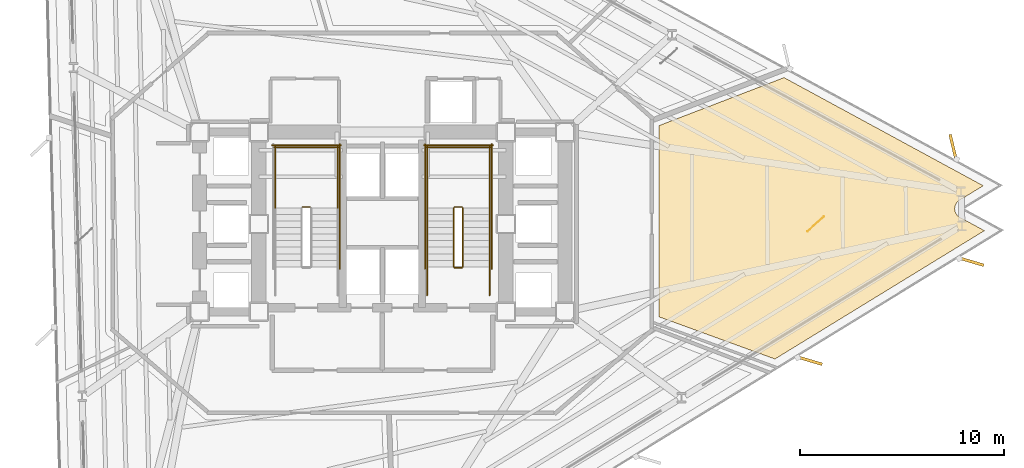
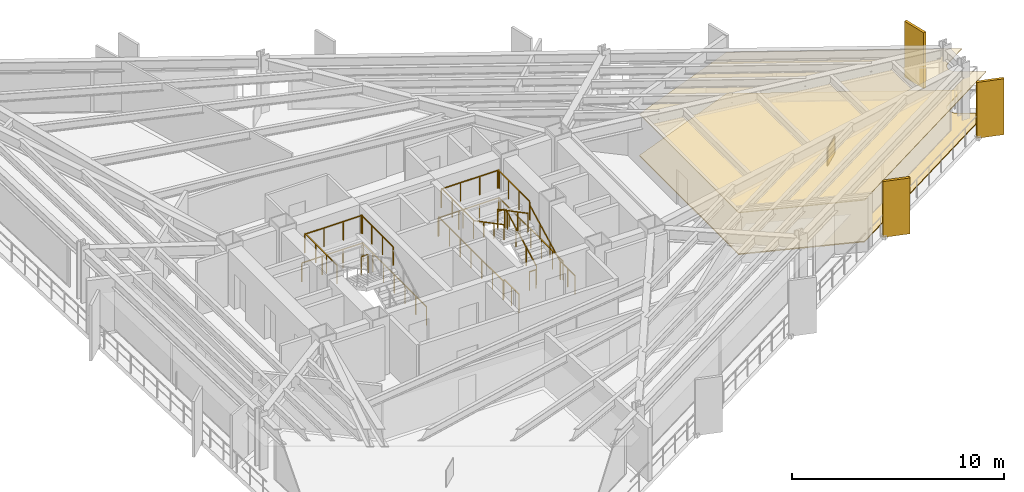
# One storey, part 13 of 14: 20 railings, 3 coverings, 3 shading devices.
"""IFC4 building model written with IfcOpenShell, lengths in metres."""

from ifc_helpers import new_model, si_unit, direction, frame, origin, origin_2d, place, context, subcontext, project, spatial, polyline, rectangle, outline, extrude, material, layer, layer_set, type_object, element, save


model = new_model("IFC4")

# Units and contexts
model_context = context("Model", 3, precision=1e-05, world=origin(), true_north=direction((0.0, 1.0)))
body_context = subcontext(model_context, "Body", "Model", "MODEL_VIEW")
ifc_project = project(units=[si_unit("LENGTHUNIT", "METRE"), si_unit("AREAUNIT", "SQUARE_METRE"), si_unit("VOLUMEUNIT", "CUBIC_METRE"), si_unit("PLANEANGLEUNIT", "RADIAN"), si_unit("MASSUNIT", "GRAM", prefix="KILO")], contexts=[model_context])

# Site, building, storey
site_placement = place(None, origin())
site = spatial("IfcSite", under=ifc_project, at=site_placement, CompositionType="ELEMENT")
building_placement = place(site_placement, origin())
building = spatial("IfcBuilding", under=site, at=building_placement, Name="Rocaltana Carrier Exchange", CompositionType="ELEMENT")
storey_placement = place(building_placement, frame((0.0, 0.0, 22.239990234375)))
storey = spatial("IfcBuildingStorey", under=building, at=storey_placement, Name="L07", CompositionType="ELEMENT", Elevation=22.239990234375)

# Coverings
ifc_material_1 = material(Name="Calcium Sulphate & Aluminium Pedestal", Category="aluminium")
ifc_layer_1 = layer(ifc_material_1, 0.06005859375)
ifc_layer_set_1 = layer_set([ifc_layer_1], Name="Calcium Sulphate & Aluminium Pedestal")
covering_type_1 = type_object("IfcCoveringType", Name="Anti-Static Raised Exchange Access Floor 60", PredefinedType="FLOORING", material=ifc_layer_set_1)
covering_1_placement = place(storey_placement, origin())
element("IfcCovering", 1, at=covering_1_placement, inside=storey, type_object=covering_type_1, Name="L07 Optical Switching Laboratory Finish Floor", PredefinedType="FLOORING", context=body_context, shape_type="SweptSolid", body=[
    extrude(outline(polyline([(29.427490234375, 1.87109375), (28.260498046875, 1.156005859375), (28.248779296875, 1.148193359375), (28.232421875, 1.136962890625), (28.210205078125, 1.1201171875), (28.19482421875, 1.107421875), (28.17431640625, 1.08837890625), (28.160400390625, 1.073974609375), (28.14208984375, 1.052978515625), (28.129638671875, 1.03759765625), (28.11328125, 1.014892578125), (28.1025390625, 0.998046875), (28.088623046875, 0.973876953125), (28.07958984375, 0.9560546875), (28.068115234375, 0.9306640625), (28.060791015625, 0.912109375), (28.052001953125, 0.885498046875), (28.046630859375, 0.866455078125), (28.04052734375, 0.839111328125), (28.037109375, 0.819580078125), (28.03369140625, 0.791748046875), (28.031982421875, 0.77197265625), (28.031494140625, 0.743896484375), (28.031982421875, 0.72412109375), (28.0341796875, 0.6962890625), (28.03662109375, 0.676513671875), (28.04150390625, 0.64892578125), (28.0458984375, 0.629638671875), (28.053466796875, 0.602783203125), (28.059814453125, 0.583740234375), (28.070068359375, 0.557861328125), (28.078369140625, 0.539794921875), (28.091064453125, 0.514892578125), (28.10107421875, 0.49755859375), (28.1162109375, 0.47412109375), (28.1279296875, 0.4580078125), (28.1455078125, 0.436279296875), (28.15869140625, 0.421142578125), (28.177978515625, 0.4013671875), (28.192626953125, 0.3876953125), (28.214111328125, 0.369873046875), (28.22998046875, 0.35791015625), (28.253173828125, 0.342041015625), (28.270263671875, 0.331787109375), (28.2822265625, 0.32470703125), (29.485107421875, -0.328369140625), (19.2265625, -6.61474609375), (13.56005859375, -4.55224609375), (13.56005859375, 4.819580078125), (19.674072265625, 7.16650390625), (29.427490234375, 1.87109375)])), origin(), (0.0, 0.0, 1.0), 0.06005859375),
])
ifc_material_2 = material(Name="Mineral Fibre & Powder-Coated Aluminium", Category="aluminium")
ifc_layer_2 = layer(ifc_material_2, 0.044921875)
ifc_layer_set_2 = layer_set([ifc_layer_2], Name="Mineral Fibre & Powder-Coated Aluminium")
covering_type_2 = type_object("IfcCoveringType", Name="Micro-Perforated Acoustic Ceiling 45", PredefinedType="CEILING", material=ifc_layer_set_2)
covering_2_placement = place(storey_placement, frame((0.0, 0.0, 2.403076171875)))
element("IfcCovering", 2, at=covering_2_placement, inside=storey, type_object=covering_type_2, Name="L07 Optical Switching Laboratory Acoustic Ceiling", PredefinedType="CEILING", context=body_context, shape_type="SweptSolid", body=[
    extrude(outline(polyline([(29.427490234375, 1.87109375), (28.260498046875, 1.156005859375), (28.248779296875, 1.148193359375), (28.232421875, 1.136962890625), (28.210205078125, 1.1201171875), (28.19482421875, 1.107421875), (28.17431640625, 1.08837890625), (28.160400390625, 1.073974609375), (28.14208984375, 1.052978515625), (28.129638671875, 1.03759765625), (28.11328125, 1.014892578125), (28.1025390625, 0.998046875), (28.088623046875, 0.973876953125), (28.07958984375, 0.9560546875), (28.068115234375, 0.9306640625), (28.060791015625, 0.912109375), (28.052001953125, 0.885498046875), (28.046630859375, 0.866455078125), (28.04052734375, 0.839111328125), (28.037109375, 0.819580078125), (28.03369140625, 0.791748046875), (28.031982421875, 0.77197265625), (28.031494140625, 0.743896484375), (28.031982421875, 0.72412109375), (28.0341796875, 0.6962890625), (28.03662109375, 0.676513671875), (28.04150390625, 0.64892578125), (28.0458984375, 0.629638671875), (28.053466796875, 0.602783203125), (28.059814453125, 0.583740234375), (28.070068359375, 0.557861328125), (28.078369140625, 0.539794921875), (28.091064453125, 0.514892578125), (28.10107421875, 0.49755859375), (28.1162109375, 0.47412109375), (28.1279296875, 0.4580078125), (28.1455078125, 0.436279296875), (28.15869140625, 0.421142578125), (28.177978515625, 0.4013671875), (28.192626953125, 0.3876953125), (28.214111328125, 0.369873046875), (28.22998046875, 0.35791015625), (28.253173828125, 0.342041015625), (28.270263671875, 0.331787109375), (28.2822265625, 0.32470703125), (29.485107421875, -0.328369140625), (19.2265625, -6.61474609375), (13.56005859375, -4.55224609375), (13.56005859375, 4.819580078125), (19.674072265625, 7.16650390625), (29.427490234375, 1.87109375)])), origin(), (0.0, 0.0, 1.0), 0.044921875),
])

# Railings
ifc_material_3 = material(Name="Brushed Architectural Stainless Tube", Category="steel")
ifc_layer_3 = layer(ifc_material_3, 0.048095703125)
ifc_layer_set_3 = layer_set([ifc_layer_3], Name="Brushed Architectural Stainless Tube")
railing_type_1 = type_object("IfcRailingType", Name="Stair Wall Handrail 920", PredefinedType="HANDRAIL", material=ifc_layer_set_3)
railing_1_placement = place(storey_placement, frame((5.25, -2.10009765625, 0.16796875)))
element("IfcRailing", 3, at=railing_1_placement, inside=storey, type_object=railing_type_1, Name="L07 ST-2 stair handrail 1", PredefinedType="HANDRAIL", context=body_context, shape_type="SweptSolid", body=[
    extrude(rectangle(XDim=0.048095703125, YDim=0.048095703125, at=origin_2d()), frame((0.0, 0.0, 0.8759765625), z_axis=(0.0, 0.885411030485, 0.464808893091), x_axis=(-1.0, 0.0, 0.0)), (0.0, 0.0, 1.0), 3.2529296875),
    extrude(rectangle(XDim=0.0419921875, YDim=0.0419921875, at=origin_2d()), origin(), (0.0, 0.0, 1.0), 0.851806640625),
    extrude(rectangle(XDim=0.0419921875, YDim=0.0419921875, at=origin_2d()), frame((0.0, 0.9599609375, 0.50390625)), (0.0, 0.0, 1.0), 0.851806640625),
    extrude(rectangle(XDim=0.0419921875, YDim=0.0419921875, at=origin_2d()), frame((0.0, 1.920166015625, 1.008056640625)), (0.0, 0.0, 1.0), 0.851806640625),
    extrude(rectangle(XDim=0.0419921875, YDim=0.0419921875, at=origin_2d()), frame((0.0, 2.880126953125, 1.511962890625)), (0.0, 0.0, 1.0), 0.851806640625),
])
railing_2_placement = place(storey_placement, frame((2.18994140625, 0.780029296875, 1.847900390625)))
element("IfcRailing", 4, at=railing_2_placement, inside=storey, type_object=railing_type_1, Name="L07 ST-2 stair handrail 2", PredefinedType="HANDRAIL", context=body_context, shape_type="SweptSolid", body=[
    extrude(rectangle(XDim=0.048095703125, YDim=0.048095703125, at=origin_2d()), frame((0.0, 0.0, 0.8759765625), z_axis=(0.0, -0.8853801414, 0.46486772873), x_axis=(1.0, 0.0, 0.0)), (0.0, 0.0, 1.0), 3.2529296875),
    extrude(rectangle(XDim=0.0419921875, YDim=0.0419921875, at=origin_2d()), origin(), (0.0, 0.0, 1.0), 0.851806640625),
    extrude(rectangle(XDim=0.0419921875, YDim=0.0419921875, at=origin_2d()), frame((0.0, -0.9599609375, 0.504150390625)), (0.0, 0.0, 1.0), 0.851806640625),
    extrude(rectangle(XDim=0.0419921875, YDim=0.0419921875, at=origin_2d()), frame((0.0, -1.920166015625, 1.008056640625)), (0.0, 0.0, 1.0), 0.851806640625),
    extrude(rectangle(XDim=0.0419921875, YDim=0.0419921875, at=origin_2d()), frame((0.0, -2.880126953125, 1.51220703125)), (0.0, 0.0, 1.0), 0.851806640625),
])
ifc_material_4 = material(Name="Powder-Coated Aluminium 6063-T6", Category="aluminium")
ifc_layer_4 = layer(ifc_material_4, 0.048095703125)
ifc_layer_set_4 = layer_set([ifc_layer_4], Name="Powder-Coated Aluminium 6063-T6")
railing_type_2 = type_object("IfcRailingType", Name="Stair Well Guardrail 1100", PredefinedType="GUARDRAIL", material=ifc_layer_set_4)
railing_3_placement = place(storey_placement, frame((-3.5400390625, 0.830078125, 1.679931640625)))
element("IfcRailing", 5, at=railing_3_placement, inside=storey, type_object=railing_type_2, Name="L07 ST-1 stair guard 2", PredefinedType="GUARDRAIL", context=body_context, shape_type="SweptSolid", body=[
    extrude(rectangle(XDim=0.048095703125, YDim=0.048095703125, at=origin_2d()), frame((0.0, 0.0, 1.076171875), z_axis=(-1.0, 0.0, 0.0), x_axis=(0.0, -1.0, 0.0)), (0.0, 0.0, 1.0), 0.35986328125),
    extrude(rectangle(XDim=0.0419921875, YDim=0.0419921875, at=origin_2d()), origin(), (0.0, 0.0, 1.0), 1.052001953125),
    extrude(rectangle(XDim=0.0419921875, YDim=0.0419921875, at=origin_2d()), frame((-0.35986328125, 0.0, 0.0)), (0.0, 0.0, 1.0), 1.052001953125),
])
for number, where, name in (
    (6, (-2.18994140625, 0.780029296875, 1.679931640625), "L07 ST-1 stair guard 3"),
    (7, (-5.25, 0.780029296875, 1.679931640625), "L07 ST-1 stair guard 4"),
):
    element("IfcRailing", number, at=place(storey_placement, frame(where)), inside=storey, type_object=railing_type_2, Name=name, PredefinedType="GUARDRAIL", context=body_context, shape_type="SweptSolid", body=[
        extrude(rectangle(XDim=0.048095703125, YDim=0.048095703125, at=origin_2d()), frame((0.0, 0.0, 1.076171875), z_axis=(0.0, 1.0, 0.0), x_axis=(-1.0, 0.0, 0.0)), (0.0, 0.0, 1.0), 3.02001953125),
        extrude(rectangle(XDim=0.0419921875, YDim=0.0419921875, at=origin_2d()), origin(), (0.0, 0.0, 1.0), 1.052001953125),
        extrude(rectangle(XDim=0.0419921875, YDim=0.0419921875, at=origin_2d()), frame((0.0, 1.006591796875, 0.0)), (0.0, 0.0, 1.0), 1.052001953125),
        extrude(rectangle(XDim=0.0419921875, YDim=0.0419921875, at=origin_2d()), frame((0.0, 2.013427734375, 0.0)), (0.0, 0.0, 1.0), 1.052001953125),
        extrude(rectangle(XDim=0.0419921875, YDim=0.0419921875, at=origin_2d()), frame((0.0, 3.02001953125, 0.0)), (0.0, 0.0, 1.0), 1.052001953125),
    ])
railing_4_placement = place(storey_placement, frame((-2.139892578125, 3.75, 1.679931640625)))
element("IfcRailing", 8, at=railing_4_placement, inside=storey, type_object=railing_type_2, Name="L07 ST-1 stair guard 5", PredefinedType="GUARDRAIL", context=body_context, shape_type="SweptSolid", body=[
    extrude(rectangle(XDim=0.048095703125, YDim=0.048095703125, at=origin_2d()), frame((0.0, 0.0, 1.076171875), z_axis=(-1.0, 0.0, 0.0), x_axis=(0.0, -1.0, 0.0)), (0.0, 0.0, 1.0), 3.16015625),
    extrude(rectangle(XDim=0.0419921875, YDim=0.0419921875, at=origin_2d()), origin(), (0.0, 0.0, 1.0), 1.052001953125),
    extrude(rectangle(XDim=0.0419921875, YDim=0.0419921875, at=origin_2d()), frame((-1.053466796875, 0.0, 0.0)), (0.0, 0.0, 1.0), 1.052001953125),
    extrude(rectangle(XDim=0.0419921875, YDim=0.0419921875, at=origin_2d()), frame((-2.106689453125, 0.0, 0.0)), (0.0, 0.0, 1.0), 1.052001953125),
    extrude(rectangle(XDim=0.0419921875, YDim=0.0419921875, at=origin_2d()), frame((-3.16015625, 0.0, 0.0)), (0.0, 0.0, 1.0), 1.052001953125),
])
railing_5_placement = place(storey_placement, frame((-2.090087890625, -2.199951171875, 0.0)))
element("IfcRailing", 9, at=railing_5_placement, inside=storey, type_object=railing_type_2, Name="L07 ST-1 stair guard 10", PredefinedType="GUARDRAIL", context=body_context, shape_type="SweptSolid", body=[
    extrude(rectangle(XDim=0.048095703125, YDim=0.048095703125, at=origin_2d()), frame((0.0, 0.0, 1.076171875), z_axis=(0.0, 1.0, 0.0), x_axis=(-1.0, 0.0, 0.0)), (0.0, 0.0, 1.0), 6.099853515625),
    extrude(rectangle(XDim=0.0419921875, YDim=0.0419921875, at=origin_2d()), origin(), (0.0, 0.0, 1.0), 1.052001953125),
    extrude(rectangle(XDim=0.0419921875, YDim=0.0419921875, at=origin_2d()), frame((0.0, 1.0166015625, 0.0)), (0.0, 0.0, 1.0), 1.052001953125),
    extrude(rectangle(XDim=0.0419921875, YDim=0.0419921875, at=origin_2d()), frame((0.0, 2.033203125, 0.0)), (0.0, 0.0, 1.0), 1.052001953125),
    extrude(rectangle(XDim=0.0419921875, YDim=0.0419921875, at=origin_2d()), frame((0.0, 3.0498046875, 0.0)), (0.0, 0.0, 1.0), 1.052001953125),
    extrude(rectangle(XDim=0.0419921875, YDim=0.0419921875, at=origin_2d()), frame((0.0, 4.066650390625, 0.0)), (0.0, 0.0, 1.0), 1.052001953125),
    extrude(rectangle(XDim=0.0419921875, YDim=0.0419921875, at=origin_2d()), frame((0.0, 5.083251953125, 0.0)), (0.0, 0.0, 1.0), 1.052001953125),
    extrude(rectangle(XDim=0.0419921875, YDim=0.0419921875, at=origin_2d()), frame((0.0, 6.099853515625, 0.0)), (0.0, 0.0, 1.0), 1.052001953125),
])
railing_6_placement = place(storey_placement, frame((-2.0400390625, 3.85009765625, 0.0)))
element("IfcRailing", 10, at=railing_6_placement, inside=storey, type_object=railing_type_2, Name="L07 ST-1 stair guard 12", PredefinedType="GUARDRAIL", context=body_context, shape_type="SweptSolid", body=[
    extrude(rectangle(XDim=0.048095703125, YDim=0.048095703125, at=origin_2d()), frame((0.0, 0.0, 1.076171875), z_axis=(-1.0, 0.0, 0.0), x_axis=(0.0, -1.0, 0.0)), (0.0, 0.0, 1.0), 3.35986328125),
    extrude(rectangle(XDim=0.0419921875, YDim=0.0419921875, at=origin_2d()), origin(), (0.0, 0.0, 1.0), 1.052001953125),
    extrude(rectangle(XDim=0.0419921875, YDim=0.0419921875, at=origin_2d()), frame((-1.119873046875, 0.0, 0.0)), (0.0, 0.0, 1.0), 1.052001953125),
    extrude(rectangle(XDim=0.0419921875, YDim=0.0419921875, at=origin_2d()), frame((-2.239990234375, 0.0, 0.0)), (0.0, 0.0, 1.0), 1.052001953125),
    extrude(rectangle(XDim=0.0419921875, YDim=0.0419921875, at=origin_2d()), frame((-3.35986328125, 0.0, 0.0)), (0.0, 0.0, 1.0), 1.052001953125),
])
railing_7_placement = place(storey_placement, frame((3.949951171875, -2.10009765625, 0.16796875)))
element("IfcRailing", 11, at=railing_7_placement, inside=storey, type_object=railing_type_2, Name="L07 ST-2 stair guard 1", PredefinedType="GUARDRAIL", context=body_context, shape_type="SweptSolid", body=[
    extrude(rectangle(XDim=0.048095703125, YDim=0.048095703125, at=origin_2d()), frame((0.0, 0.0, 1.076171875), z_axis=(0.0, 0.885411030485, 0.464808893091), x_axis=(-1.0, 0.0, 0.0)), (0.0, 0.0, 1.0), 3.2529296875),
    extrude(rectangle(XDim=0.0419921875, YDim=0.0419921875, at=origin_2d()), origin(), (0.0, 0.0, 1.0), 1.052001953125),
    extrude(rectangle(XDim=0.0419921875, YDim=0.0419921875, at=origin_2d()), frame((0.0, 0.9599609375, 0.50390625)), (0.0, 0.0, 1.0), 1.052001953125),
    extrude(rectangle(XDim=0.0419921875, YDim=0.0419921875, at=origin_2d()), frame((0.0, 1.920166015625, 1.008056640625)), (0.0, 0.0, 1.0), 1.052001953125),
    extrude(rectangle(XDim=0.0419921875, YDim=0.0419921875, at=origin_2d()), frame((0.0, 2.880126953125, 1.511962890625)), (0.0, 0.0, 1.0), 1.052001953125),
])
railing_8_placement = place(storey_placement, frame((3.89990234375, 0.830078125, 1.679931640625)))
element("IfcRailing", 12, at=railing_8_placement, inside=storey, type_object=railing_type_2, Name="L07 ST-2 stair guard 2", PredefinedType="GUARDRAIL", context=body_context, shape_type="SweptSolid", body=[
    extrude(rectangle(XDim=0.048095703125, YDim=0.048095703125, at=origin_2d()), frame((0.0, 0.0, 1.076171875), z_axis=(-1.0, 0.0, 0.0), x_axis=(0.0, -1.0, 0.0)), (0.0, 0.0, 1.0), 0.35986328125),
    extrude(rectangle(XDim=0.0419921875, YDim=0.0419921875, at=origin_2d()), origin(), (0.0, 0.0, 1.0), 1.052001953125),
    extrude(rectangle(XDim=0.0419921875, YDim=0.0419921875, at=origin_2d()), frame((-0.35986328125, 0.0, 0.0)), (0.0, 0.0, 1.0), 1.052001953125),
])
for number, where, name in (
    (13, (5.25, 0.780029296875, 1.679931640625), "L07 ST-2 stair guard 3"),
    (14, (2.18994140625, 0.780029296875, 1.679931640625), "L07 ST-2 stair guard 4"),
):
    element("IfcRailing", number, at=place(storey_placement, frame(where)), inside=storey, type_object=railing_type_2, Name=name, PredefinedType="GUARDRAIL", context=body_context, shape_type="SweptSolid", body=[
        extrude(rectangle(XDim=0.048095703125, YDim=0.048095703125, at=origin_2d()), frame((0.0, 0.0, 1.076171875), z_axis=(0.0, 1.0, 0.0), x_axis=(-1.0, 0.0, 0.0)), (0.0, 0.0, 1.0), 3.02001953125),
        extrude(rectangle(XDim=0.0419921875, YDim=0.0419921875, at=origin_2d()), origin(), (0.0, 0.0, 1.0), 1.052001953125),
        extrude(rectangle(XDim=0.0419921875, YDim=0.0419921875, at=origin_2d()), frame((0.0, 1.006591796875, 0.0)), (0.0, 0.0, 1.0), 1.052001953125),
        extrude(rectangle(XDim=0.0419921875, YDim=0.0419921875, at=origin_2d()), frame((0.0, 2.013427734375, 0.0)), (0.0, 0.0, 1.0), 1.052001953125),
        extrude(rectangle(XDim=0.0419921875, YDim=0.0419921875, at=origin_2d()), frame((0.0, 3.02001953125, 0.0)), (0.0, 0.0, 1.0), 1.052001953125),
    ])
railing_9_placement = place(storey_placement, frame((5.300048828125, 3.75, 1.679931640625)))
element("IfcRailing", 15, at=railing_9_placement, inside=storey, type_object=railing_type_2, Name="L07 ST-2 stair guard 5", PredefinedType="GUARDRAIL", context=body_context, shape_type="SweptSolid", body=[
    extrude(rectangle(XDim=0.048095703125, YDim=0.048095703125, at=origin_2d()), frame((0.0, 0.0, 1.076171875), z_axis=(-1.0, 0.0, 0.0), x_axis=(0.0, -1.0, 0.0)), (0.0, 0.0, 1.0), 3.16015625),
    extrude(rectangle(XDim=0.0419921875, YDim=0.0419921875, at=origin_2d()), origin(), (0.0, 0.0, 1.0), 1.052001953125),
    extrude(rectangle(XDim=0.0419921875, YDim=0.0419921875, at=origin_2d()), frame((-1.053466796875, 0.0, 0.0)), (0.0, 0.0, 1.0), 1.052001953125),
    extrude(rectangle(XDim=0.0419921875, YDim=0.0419921875, at=origin_2d()), frame((-2.106689453125, 0.0, 0.0)), (0.0, 0.0, 1.0), 1.052001953125),
    extrude(rectangle(XDim=0.0419921875, YDim=0.0419921875, at=origin_2d()), frame((-3.16015625, 0.0, 0.0)), (0.0, 0.0, 1.0), 1.052001953125),
])
railing_10_placement = place(storey_placement, frame((3.489990234375, 0.780029296875, 1.847900390625)))
element("IfcRailing", 16, at=railing_10_placement, inside=storey, type_object=railing_type_2, Name="L07 ST-2 stair guard 6", PredefinedType="GUARDRAIL", context=body_context, shape_type="SweptSolid", body=[
    extrude(rectangle(XDim=0.048095703125, YDim=0.048095703125, at=origin_2d()), frame((0.0, 0.0, 1.076171875), z_axis=(0.0, -0.8853801414, 0.46486772873), x_axis=(1.0, 0.0, 0.0)), (0.0, 0.0, 1.0), 3.2529296875),
    extrude(rectangle(XDim=0.0419921875, YDim=0.0419921875, at=origin_2d()), origin(), (0.0, 0.0, 1.0), 1.052001953125),
    extrude(rectangle(XDim=0.0419921875, YDim=0.0419921875, at=origin_2d()), frame((0.0, -0.9599609375, 0.504150390625)), (0.0, 0.0, 1.0), 1.052001953125),
    extrude(rectangle(XDim=0.0419921875, YDim=0.0419921875, at=origin_2d()), frame((0.0, -1.920166015625, 1.008056640625)), (0.0, 0.0, 1.0), 1.052001953125),
    extrude(rectangle(XDim=0.0419921875, YDim=0.0419921875, at=origin_2d()), frame((0.0, -2.880126953125, 1.51220703125)), (0.0, 0.0, 1.0), 1.052001953125),
])
railing_11_placement = place(storey_placement, frame((3.89990234375, -2.14990234375, 0.0)))
element("IfcRailing", 17, at=railing_11_placement, inside=storey, type_object=railing_type_2, Name="L07 ST-2 stair guard 7", PredefinedType="GUARDRAIL", context=body_context, shape_type="SweptSolid", body=[
    extrude(rectangle(XDim=0.048095703125, YDim=0.048095703125, at=origin_2d()), frame((0.0, 0.0, 1.076171875), z_axis=(-1.0, 0.0, 0.0), x_axis=(0.0, -1.0, 0.0)), (0.0, 0.0, 1.0), 0.35986328125),
    extrude(rectangle(XDim=0.0419921875, YDim=0.0419921875, at=origin_2d()), origin(), (0.0, 0.0, 1.0), 1.052001953125),
    extrude(rectangle(XDim=0.0419921875, YDim=0.0419921875, at=origin_2d()), frame((-0.35986328125, 0.0, 0.0)), (0.0, 0.0, 1.0), 1.052001953125),
])
for number, where, name in (
    (18, (5.25, -3.5, 0.0), "L07 ST-2 stair guard 8"),
    (19, (2.18994140625, -3.5, 0.0), "L07 ST-2 stair guard 9"),
):
    element("IfcRailing", number, at=place(storey_placement, frame(where)), inside=storey, type_object=railing_type_2, Name=name, PredefinedType="GUARDRAIL", context=body_context, shape_type="SweptSolid", body=[
        extrude(rectangle(XDim=0.048095703125, YDim=0.048095703125, at=origin_2d()), frame((0.0, 0.0, 1.076171875), z_axis=(0.0, 1.0, 0.0), x_axis=(-1.0, 0.0, 0.0)), (0.0, 0.0, 1.0), 1.39990234375),
        extrude(rectangle(XDim=0.0419921875, YDim=0.0419921875, at=origin_2d()), origin(), (0.0, 0.0, 1.0), 1.052001953125),
        extrude(rectangle(XDim=0.0419921875, YDim=0.0419921875, at=origin_2d()), frame((0.0, 0.699951171875, 0.0)), (0.0, 0.0, 1.0), 1.052001953125),
        extrude(rectangle(XDim=0.0419921875, YDim=0.0419921875, at=origin_2d()), frame((0.0, 1.39990234375, 0.0)), (0.0, 0.0, 1.0), 1.052001953125),
    ])
for number, where, name in (
    (20, (5.35009765625, -2.199951171875, 0.0), "L07 ST-2 stair guard 10"),
    (21, (2.090087890625, -2.199951171875, 0.0), "L07 ST-2 stair guard 11"),
):
    element("IfcRailing", number, at=place(storey_placement, frame(where)), inside=storey, type_object=railing_type_2, Name=name, PredefinedType="GUARDRAIL", context=body_context, shape_type="SweptSolid", body=[
        extrude(rectangle(XDim=0.048095703125, YDim=0.048095703125, at=origin_2d()), frame((0.0, 0.0, 1.076171875), z_axis=(0.0, 1.0, 0.0), x_axis=(-1.0, 0.0, 0.0)), (0.0, 0.0, 1.0), 6.099853515625),
        extrude(rectangle(XDim=0.0419921875, YDim=0.0419921875, at=origin_2d()), origin(), (0.0, 0.0, 1.0), 1.052001953125),
        extrude(rectangle(XDim=0.0419921875, YDim=0.0419921875, at=origin_2d()), frame((0.0, 1.0166015625, 0.0)), (0.0, 0.0, 1.0), 1.052001953125),
        extrude(rectangle(XDim=0.0419921875, YDim=0.0419921875, at=origin_2d()), frame((0.0, 2.033203125, 0.0)), (0.0, 0.0, 1.0), 1.052001953125),
        extrude(rectangle(XDim=0.0419921875, YDim=0.0419921875, at=origin_2d()), frame((0.0, 3.0498046875, 0.0)), (0.0, 0.0, 1.0), 1.052001953125),
        extrude(rectangle(XDim=0.0419921875, YDim=0.0419921875, at=origin_2d()), frame((0.0, 4.066650390625, 0.0)), (0.0, 0.0, 1.0), 1.052001953125),
        extrude(rectangle(XDim=0.0419921875, YDim=0.0419921875, at=origin_2d()), frame((0.0, 5.083251953125, 0.0)), (0.0, 0.0, 1.0), 1.052001953125),
        extrude(rectangle(XDim=0.0419921875, YDim=0.0419921875, at=origin_2d()), frame((0.0, 6.099853515625, 0.0)), (0.0, 0.0, 1.0), 1.052001953125),
    ])
railing_12_placement = place(storey_placement, frame((5.39990234375, 3.85009765625, 0.0)))
element("IfcRailing", 22, at=railing_12_placement, inside=storey, type_object=railing_type_2, Name="L07 ST-2 stair guard 12", PredefinedType="GUARDRAIL", context=body_context, shape_type="SweptSolid", body=[
    extrude(rectangle(XDim=0.048095703125, YDim=0.048095703125, at=origin_2d()), frame((0.0, 0.0, 1.076171875), z_axis=(-1.0, 0.0, 0.0), x_axis=(0.0, -1.0, 0.0)), (0.0, 0.0, 1.0), 3.35986328125),
    extrude(rectangle(XDim=0.0419921875, YDim=0.0419921875, at=origin_2d()), origin(), (0.0, 0.0, 1.0), 1.052001953125),
    extrude(rectangle(XDim=0.0419921875, YDim=0.0419921875, at=origin_2d()), frame((-1.119873046875, 0.0, 0.0)), (0.0, 0.0, 1.0), 1.052001953125),
    extrude(rectangle(XDim=0.0419921875, YDim=0.0419921875, at=origin_2d()), frame((-2.239990234375, 0.0, 0.0)), (0.0, 0.0, 1.0), 1.052001953125),
    extrude(rectangle(XDim=0.0419921875, YDim=0.0419921875, at=origin_2d()), frame((-3.35986328125, 0.0, 0.0)), (0.0, 0.0, 1.0), 1.052001953125),
])

# Covering
ifc_material_5 = material(Name="Honed Piedra Muneca Sandstone", Category="masonry")
ifc_layer_5 = layer(ifc_material_5, 0.034912109375)
ifc_layer_set_5 = layer_set([ifc_layer_5], Name="Honed Piedra Muneca Sandstone")
covering_type_3 = type_object("IfcCoveringType", Name="Stone Facade Cladding 35", PredefinedType="CLADDING", material=ifc_layer_set_5)
covering_3_placement = place(storey_placement, frame((21.2216796875, -0.001708984375, 0.0), z_axis=(0.0, 0.0, 1.0), x_axis=(0.743144825477, 0.669130606359, 0.0)))
element("IfcCovering", 23, at=covering_3_placement, inside=storey, type_object=covering_type_3, Name="L07 Stone Facade Cladding Panel 4", PredefinedType="CLADDING", context=body_context, shape_type="SweptSolid", body=[
    extrude(rectangle(XDim=1.10009765625, YDim=0.034912109375, at=origin_2d()), origin(), (0.0, 0.0, 1.0), 1.050048828125),
])

# Shading devices
ifc_material_6 = material(Name="Honed Bogota Sandstone & Concrete C45/55", Category="masonry")
ifc_layer_6 = layer(ifc_material_6, 0.139892578125)
ifc_layer_set_6 = layer_set([ifc_layer_6], Name="Honed Bogota Sandstone & Concrete C45/55")
shading_device_type = type_object("IfcShadingDeviceType", Name="Vertical Sandstone Shading Fin 1320x140", PredefinedType="USERDEFINED", material=ifc_layer_set_6)
for number, where, z_axis, x_axis, name in (
    (24, (27.95751953125, 3.739501953125, -0.1201171875), (0.0, 0.0, 1.0), (-0.233445363856, 0.972369920398, 0.0), "L07 Sandstone Vertical Fin F1-01"),
    (25, (20.909912109375, -6.6865234375, -0.1201171875), (0.0, 0.0, 1.0), (0.958819734868, -0.284015344704, 0.0), "L07 Sandstone Vertical Fin F3-05"),
    (26, (28.822265625, -1.837646484375, -0.1201171875), (0.0, 0.0, 1.0), (0.958819734868, -0.284015344704, 0.0), "L07 Sandstone Vertical Fin F3-06"),
):
    element("IfcShadingDevice", number, at=place(storey_placement, frame(where, z_axis=z_axis, x_axis=x_axis)), inside=storey, type_object=shading_device_type, Name=name, ObjectType="FIN", PredefinedType="USERDEFINED", context=body_context, shape_type="SweptSolid", body=[
        extrude(rectangle(XDim=1.320068359375, YDim=0.139892578125, at=origin_2d()), origin(), (0.0, 0.0, 1.0), 3.218017578125),
    ])

save(model, "model.ifc")
